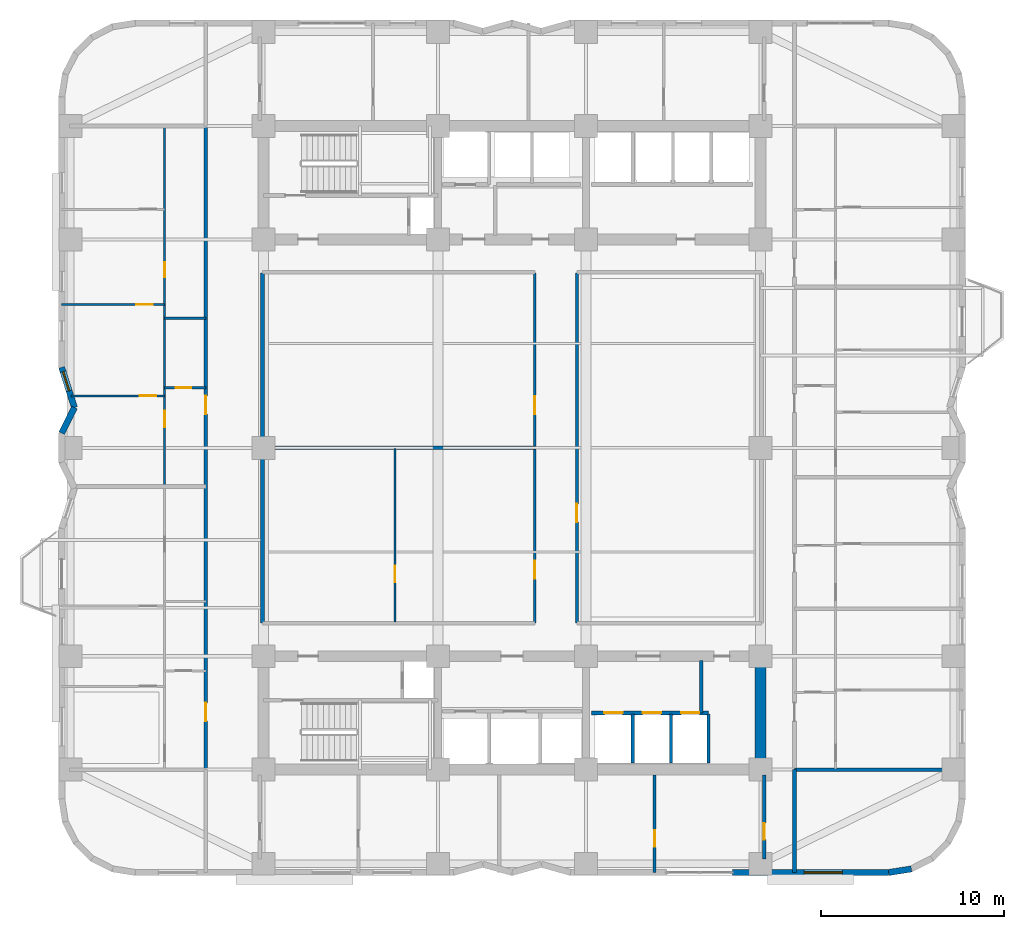
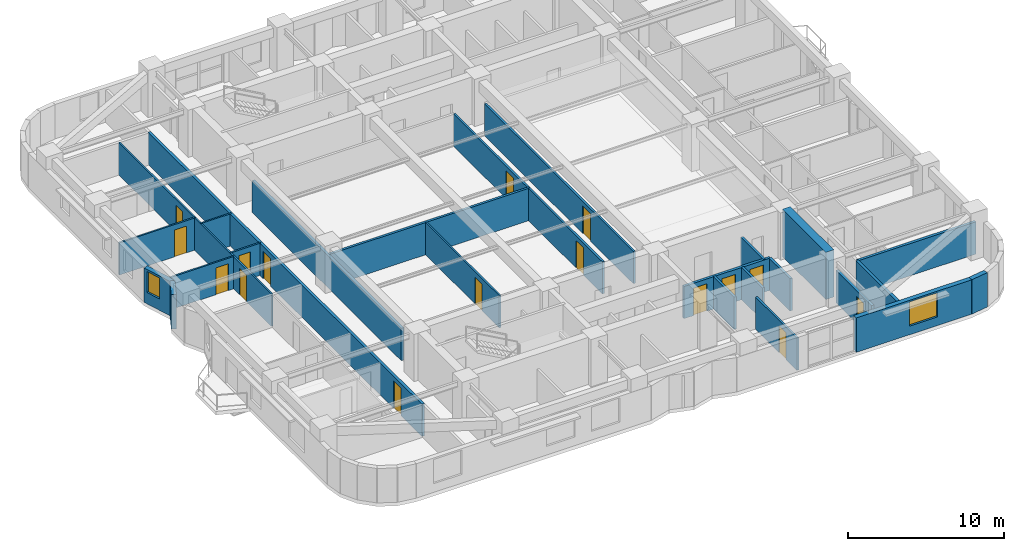
# One storey, part 7 of 13: 25 walls, 16 doors, 2 windows, 18 openings.
"""IFC4 building model written with IfcOpenShell, lengths in metres."""

from ifc_helpers import new_model, si_unit, direction, frame, frame_2d, origin, place, context, subcontext, project, spatial, rectangle, extrude, material, layer, layer_set, type_object, element, fill, save


model = new_model("IFC4")

# Units and contexts
model_context = context("Model", 3, precision=1e-05, world=origin(), true_north=direction((0.0, 1.0)))
body_context = subcontext(model_context, "Body", "Model", "MODEL_VIEW")
ifc_project = project(units=[si_unit("LENGTHUNIT", "METRE"), si_unit("AREAUNIT", "SQUARE_METRE"), si_unit("VOLUMEUNIT", "CUBIC_METRE"), si_unit("PLANEANGLEUNIT", "RADIAN"), si_unit("MASSUNIT", "GRAM", prefix="KILO")], contexts=[model_context])

# Site, building, storey
site_placement = place(None, origin())
site = spatial("IfcSite", under=ifc_project, at=site_placement, CompositionType="ELEMENT")
building_placement = place(site_placement, origin())
building = spatial("IfcBuilding", under=site, at=building_placement, Name="Svetorya Sky Lyceum", CompositionType="ELEMENT")
storey_placement = place(building_placement, frame((0.0, 0.0, 58.39990234375)))
storey = spatial("IfcBuildingStorey", under=building, at=storey_placement, Name="L14", CompositionType="ELEMENT", Elevation=58.39990234375)

# Wall
ifc_material_1 = material(Name="Concrete C60/75", Category="concrete")
ifc_layer_1 = layer(ifc_material_1, 0.60009765625)
ifc_layer_set_1 = layer_set([ifc_layer_1], Name="Concrete C60/75")
wall_type_1 = type_object("IfcWallType", Name="WL-CORE-600", PredefinedType="SHEAR", material=ifc_layer_set_1)
wall_1_placement = place(storey_placement, frame((52.800048828125, 10.89990234375, 0.0), z_axis=(0.0, 0.0, 1.0), x_axis=(0.0, 1.0, 0.0)))
element("IfcWall", 1, at=wall_1_placement, inside=storey, type_object=wall_type_1, Name="L14 SC East Core Shear Wall", PredefinedType="SHEAR", context=body_context, shape_type="SweptSolid", body=[
    extrude(rectangle(XDim=5.60009765625, YDim=0.60009765625, at=frame_2d((2.800048828125, 0.0))), origin(), (0.0, 0.0, 1.0), 3.7001953125),
])

# Wall, opening, window
ifc_material_2 = material(Name="Putilovo limestone rainscreen on autoclaved cellular masonry", Category="masonry")
ifc_layer_2 = layer(ifc_material_2, 0.340087890625)
ifc_layer_set_2 = layer_set([ifc_layer_2], Name="Putilovo limestone rainscreen on autoclaved cellular masonry")
wall_type_2 = type_object("IfcWallType", Name="WL-EXT-340", PredefinedType="SOLIDWALL", material=ifc_layer_set_2)
wall_2_placement = place(storey_placement, frame((51.25, 4.969970703125, 0.0), z_axis=(0.0, 0.0, 1.0), x_axis=(1.0, 0.0, 0.0)))
wall_2 = element("IfcWall", 2, at=wall_2_placement, inside=storey, type_object=wall_type_2, Name="L14 Limestone Exterior Wall 11B", PredefinedType="SOLIDWALL", context=body_context, shape_type="SweptSolid", body=[
    extrude(rectangle(XDim=8.550048828125, YDim=0.340087890625, at=frame_2d((4.27490234375, 0.0))), origin(), (0.0, 0.0, 1.0), 2.7001953125),
])
opening_1_placement = place(wall_2_placement, frame((3.925048828125, 0.0, 0.679931640625)))
opening_1 = element("IfcOpeningElement", 3, at=opening_1_placement, cuts=wall_2, Name="Opening W-R0", PredefinedType="OPENING", context=body_context, shape_type="SweptSolid", body=[
    extrude(rectangle(XDim=2.10009765625, YDim=1.89990234375, at=frame_2d((1.050048828125, 0.949951171875))), frame((0.0, 0.179931640625, 0.0), z_axis=(0.0, -1.0, 0.0), x_axis=(1.0, 0.0, 0.0)), (0.0, 0.0, 1.0), 0.360107421875),
])
ifc_material_3 = material(Name="Thermally broken aluminium frame with triple low-E glazing", Category="aluminium")
window_type_1 = type_object("IfcWindowType", Name="WN-RES-210", PartitioningType="TRIPLE_PANEL_VERTICAL", PredefinedType="WINDOW", material=ifc_material_3)
window_1_placement = place(opening_1_placement, origin())
window_1 = element("IfcWindow", 4, at=window_1_placement, inside=storey, type_object=window_type_1, Name="L14 Facade Window W-R0.11B.1", OverallHeight=1.89990234375, OverallWidth=2.10009765625, PartitioningType="SINGLE_PANEL", PredefinedType="WINDOW", context=body_context, shape_type="SweptSolid", body=[
    extrude(rectangle(XDim=2.10009765625, YDim=1.89990234375, at=frame_2d((1.050048828125, 0.949951171875))), frame((0.0, 0.030029296875, 0.0), z_axis=(0.0, -1.0, 0.0), x_axis=(1.0, 0.0, 0.0)), (0.0, 0.0, 1.0), 0.06005859375),
])
fill(opening_1, window_1)

# Wall
wall_3_placement = place(storey_placement, frame((59.800048828125, 4.969970703125, 0.0), z_axis=(0.0, 0.0, 1.0), x_axis=(0.987685918112, 0.15644975923, 0.0)))
element("IfcWall", 5, at=wall_3_placement, inside=storey, type_object=wall_type_2, Name="L14 Limestone Exterior Wall 12M", PredefinedType="SOLIDWALL", context=body_context, shape_type="SweptSolid", body=[
    extrude(rectangle(XDim=1.260986328125, YDim=0.340087890625, at=frame_2d((0.63037109375, 0.0))), origin(), (0.0, 0.0, 1.0), 2.7001953125),
])

# Wall, opening, window
wall_4_placement = place(storey_placement, frame((14.570068359375, 32.60009765625, 0.0), z_axis=(0.0, 0.0, 1.0), x_axis=(0.303160011437, -0.952939666225, 0.0)))
wall_4 = element("IfcWall", 6, at=wall_4_placement, inside=storey, type_object=wall_type_2, Name="L14 Limestone Exterior Wall 41M", PredefinedType="SOLIDWALL", context=body_context, shape_type="SweptSolid", body=[
    extrude(rectangle(XDim=2.308837890625, YDim=0.340087890625, at=frame_2d((1.154296875, 0.0))), origin(), (0.0, 0.0, 1.0), 2.7001953125),
])
opening_2_placement = place(wall_4_placement, frame((0.244384765625, 0.0, 0.889892578125)))
opening_2 = element("IfcOpeningElement", 7, at=opening_2_placement, cuts=wall_4, Name="Opening W-R3", PredefinedType="OPENING", context=body_context, shape_type="SweptSolid", body=[
    extrude(rectangle(XDim=1.10009765625, YDim=1.64990234375, at=frame_2d((0.550048828125, 0.824951171875))), frame((0.0, 0.179931640625, 0.0), z_axis=(0.0, -1.0, 0.0), x_axis=(1.0, 0.0, 0.0)), (0.0, 0.0, 1.0), 0.360107421875),
])
window_type_2 = type_object("IfcWindowType", Name="WN-RES-110", PartitioningType="SINGLE_PANEL", PredefinedType="WINDOW", material=ifc_material_3)
window_2_placement = place(opening_2_placement, origin())
window_2 = element("IfcWindow", 8, at=window_2_placement, inside=storey, type_object=window_type_2, Name="L14 Facade Window W-R3.41M.1", OverallHeight=1.64990234375, OverallWidth=1.10009765625, PartitioningType="SINGLE_PANEL", PredefinedType="WINDOW", context=body_context, shape_type="SweptSolid", body=[
    extrude(rectangle(XDim=1.10009765625, YDim=1.64990234375, at=frame_2d((0.550048828125, 0.824951171875))), frame((0.0, 0.030029296875, 0.0), z_axis=(0.0, -1.0, 0.0), x_axis=(1.0, 0.0, 0.0)), (0.0, 0.0, 1.0), 0.06005859375),
])
fill(opening_2, window_2)

# Wall
wall_5_placement = place(storey_placement, frame((15.27001953125, 30.39990234375, 0.0), z_axis=(0.0, 0.0, 1.0), x_axis=(-0.4472135955, -0.894427191, 0.0)))
element("IfcWall", 9, at=wall_5_placement, inside=storey, type_object=wall_type_2, Name="L14 Limestone Exterior Wall 42M", PredefinedType="SOLIDWALL", context=body_context, shape_type="SweptSolid", body=[
    extrude(rectangle(XDim=1.565185546875, YDim=0.340087890625, at=frame_2d((0.78271484375, 0.0))), origin(), (0.0, 0.0, 1.0), 2.7001953125),
])

# Wall, opening, door
ifc_material_4 = material(Name="Twin-stud galvanized framing with double fireboard", Category="gypsum")
ifc_layer_3 = layer(ifc_material_4, 0.1201171875)
ifc_layer_set_3 = layer_set([ifc_layer_3], Name="Twin-stud galvanized framing with double fireboard")
wall_type_3 = type_object("IfcWallType", Name="WL-PART-120", PredefinedType="PARTITIONING", material=ifc_layer_set_3)
wall_6_placement = place(storey_placement, frame((32.800048828125, 18.659912109375, 0.0), z_axis=(0.0, 0.0, 1.0), x_axis=(0.0, 1.0, 0.0)))
wall_6 = element("IfcWall", 10, at=wall_6_placement, inside=storey, type_object=wall_type_3, Name="L14 Interior Partition CEN-WV1", PredefinedType="PARTITIONING", context=body_context, shape_type="SweptSolid", body=[
    extrude(rectangle(XDim=9.489990234375, YDim=0.1201171875, at=frame_2d((4.7451171875, 0.0))), origin(), (0.0, 0.0, 1.0), 2.530029296875),
])
opening_3_placement = place(wall_6_placement, frame((2.199951171875, 0.0, 0.0)))
opening_3 = element("IfcOpeningElement", 11, at=opening_3_placement, cuts=wall_6, Name="Opening D-RM1", PredefinedType="OPENING", context=body_context, shape_type="SweptSolid", body=[
    extrude(rectangle(XDim=0.89990234375, YDim=2.10009765625, at=frame_2d((0.449951171875, 1.050048828125))), frame((0.0, 0.070068359375, 0.0), z_axis=(0.0, -1.0, 0.0), x_axis=(1.0, 0.0, 0.0)), (0.0, 0.0, 1.0), 0.14013671875),
])
ifc_material_5 = material(Name="Lacquered birch veneer internal door")
door_type_1 = type_object("IfcDoorType", Name="DR-INT-900", OperationType="SINGLE_SWING_LEFT", PredefinedType="DOOR", material=ifc_material_5)
door_1_placement = place(opening_3_placement, origin())
door_1 = element("IfcDoor", 12, at=door_1_placement, inside=storey, type_object=door_type_1, Name="L14 Quiet Study Door", OperationType="SINGLE_SWING_LEFT", OverallHeight=2.10009765625, OverallWidth=0.89990234375, PredefinedType="DOOR", context=body_context, shape_type="SweptSolid", body=[
    extrude(rectangle(XDim=0.89990234375, YDim=2.10009765625, at=frame_2d((0.449951171875, 1.050048828125))), frame((0.0, 0.02490234375, 0.0), z_axis=(0.0, -1.0, 0.0), x_axis=(1.0, 0.0, 0.0)), (0.0, 0.0, 1.0), 0.050048828125),
])
fill(opening_3, door_1)

wall_7_placement = place(storey_placement, frame((20.199951171875, 31.488037109375, 0.0), z_axis=(0.0, 0.0, 1.0), x_axis=(1.0, 0.0, 0.0)))
wall_7 = element("IfcWall", 13, at=wall_7_placement, inside=storey, type_object=wall_type_3, Name="L14 Interior Partition W2-WH1", PredefinedType="PARTITIONING", context=body_context, shape_type="SweptSolid", body=[
    extrude(rectangle(XDim=2.25, YDim=0.1201171875, at=frame_2d((1.125, 0.0))), origin(), (0.0, 0.0, 1.0), 2.530029296875),
])
opening_4_placement = place(wall_7_placement, frame((0.60009765625, 0.0, 0.0)))
opening_4 = element("IfcOpeningElement", 14, at=opening_4_placement, cuts=wall_7, Name="Opening D-BT1", PredefinedType="OPENING", context=body_context, shape_type="SweptSolid", body=[
    extrude(rectangle(XDim=0.85009765625, YDim=2.10009765625, at=frame_2d((0.425048828125, 1.050048828125))), frame((0.0, 0.070068359375, 0.0), z_axis=(0.0, -1.0, 0.0), x_axis=(1.0, 0.0, 0.0)), (0.0, 0.0, 1.0), 0.14013671875),
])
ifc_material_6 = material(Name="Moisture-resistant laminate bathroom door")
door_type_2 = type_object("IfcDoorType", Name="DR-WET-850", OperationType="SINGLE_SWING_LEFT", PredefinedType="DOOR", material=ifc_material_6)
door_2_placement = place(opening_4_placement, origin())
door_2 = element("IfcDoor", 15, at=door_2_placement, inside=storey, type_object=door_type_2, Name="Apartment W2 Bathroom Door", OperationType="SINGLE_SWING_RIGHT", OverallHeight=2.10009765625, OverallWidth=0.85009765625, PredefinedType="DOOR", context=body_context, shape_type="SweptSolid", body=[
    extrude(rectangle(XDim=0.85009765625, YDim=2.10009765625, at=frame_2d((0.425048828125, 1.050048828125))), frame((0.0, 0.02490234375, 0.0), z_axis=(0.0, -1.0, 0.0), x_axis=(1.0, 0.0, 0.0)), (0.0, 0.0, 1.0), 0.050048828125),
])
fill(opening_4, door_2)

# Wall
wall_8_placement = place(storey_placement, frame((20.199951171875, 35.2880859375, 0.0), z_axis=(0.0, 0.0, 1.0), x_axis=(1.0, 0.0, 0.0)))
element("IfcWall", 16, at=wall_8_placement, inside=storey, type_object=wall_type_3, Name="L14 Interior Partition W2-WH2", PredefinedType="PARTITIONING", context=body_context, shape_type="SweptSolid", body=[
    extrude(rectangle(XDim=2.25, YDim=0.1201171875, at=frame_2d((1.125, 0.0))), origin(), (0.0, 0.0, 1.0), 2.530029296875),
])

# Wall, opening, door
wall_9_placement = place(storey_placement, frame((15.06689453125, 31.0380859375, 0.0), z_axis=(0.0, 0.0, 1.0), x_axis=(1.0, 0.0, 0.0)))
wall_9 = element("IfcWall", 17, at=wall_9_placement, inside=storey, type_object=wall_type_3, Name="L14 Interior Partition W2-WL1", PredefinedType="PARTITIONING", context=body_context, shape_type="SweptSolid", body=[
    extrude(rectangle(XDim=5.133056640625, YDim=0.1201171875, at=frame_2d((2.56640625, 0.0))), origin(), (0.0, 0.0, 1.0), 2.530029296875),
])
opening_5_placement = place(wall_9_placement, frame((3.782958984375, 0.0, 0.0)))
opening_5 = element("IfcOpeningElement", 18, at=opening_5_placement, cuts=wall_9, Name="Opening D-RM1", PredefinedType="OPENING", context=body_context, shape_type="SweptSolid", body=[
    extrude(rectangle(XDim=0.89990234375, YDim=2.10009765625, at=frame_2d((0.449951171875, 1.050048828125))), frame((0.0, 0.070068359375, 0.0), z_axis=(0.0, -1.0, 0.0), x_axis=(1.0, 0.0, 0.0)), (0.0, 0.0, 1.0), 0.14013671875),
])
door_3_placement = place(opening_5_placement, origin())
door_3 = element("IfcDoor", 19, at=door_3_placement, inside=storey, type_object=door_type_1, Name="Apartment W2 Master Bedroom Door", OperationType="SINGLE_SWING_RIGHT", OverallHeight=2.10009765625, OverallWidth=0.89990234375, PredefinedType="DOOR", context=body_context, shape_type="SweptSolid", body=[
    extrude(rectangle(XDim=0.89990234375, YDim=2.10009765625, at=frame_2d((0.449951171875, 1.050048828125))), frame((0.0, 0.02490234375, 0.0), z_axis=(0.0, -1.0, 0.0), x_axis=(1.0, 0.0, 0.0)), (0.0, 0.0, 1.0), 0.050048828125),
])
fill(opening_5, door_3)

wall_10_placement = place(storey_placement, frame((14.570068359375, 36.0380859375, 0.0), z_axis=(0.0, 0.0, 1.0), x_axis=(1.0, 0.0, 0.0)))
wall_10 = element("IfcWall", 20, at=wall_10_placement, inside=storey, type_object=wall_type_3, Name="L14 Interior Partition W2-WL2", PredefinedType="PARTITIONING", context=body_context, shape_type="SweptSolid", body=[
    extrude(rectangle(XDim=5.6298828125, YDim=0.1201171875, at=frame_2d((2.81494140625, 0.0))), origin(), (0.0, 0.0, 1.0), 2.530029296875),
])
opening_6_placement = place(wall_10_placement, frame((4.080078125, 0.0, 0.0)))
opening_6 = element("IfcOpeningElement", 21, at=opening_6_placement, cuts=wall_10, Name="Opening D-RM1", PredefinedType="OPENING", context=body_context, shape_type="SweptSolid", body=[
    extrude(rectangle(XDim=0.89990234375, YDim=2.10009765625, at=frame_2d((0.449951171875, 1.050048828125))), frame((0.0, 0.070068359375, 0.0), z_axis=(0.0, -1.0, 0.0), x_axis=(1.0, 0.0, 0.0)), (0.0, 0.0, 1.0), 0.14013671875),
])
door_4_placement = place(opening_6_placement, origin())
door_4 = element("IfcDoor", 22, at=door_4_placement, inside=storey, type_object=door_type_1, Name="Apartment W2 Bedroom 2 Door", OperationType="SINGLE_SWING_LEFT", OverallHeight=2.10009765625, OverallWidth=0.89990234375, PredefinedType="DOOR", context=body_context, shape_type="SweptSolid", body=[
    extrude(rectangle(XDim=0.89990234375, YDim=2.10009765625, at=frame_2d((0.449951171875, 1.050048828125))), frame((0.0, 0.02490234375, 0.0), z_axis=(0.0, -1.0, 0.0), x_axis=(1.0, 0.0, 0.0)), (0.0, 0.0, 1.0), 0.050048828125),
])
fill(opening_6, door_4)

# Wall, openings, doors
wall_11_placement = place(storey_placement, frame((20.199951171875, 26.1279296875, 0.0), z_axis=(0.0, 0.0, 1.0), x_axis=(0.0, 1.0, 0.0)))
wall_11 = element("IfcWall", 23, at=wall_11_placement, inside=storey, type_object=wall_type_3, Name="L14 Interior Partition W2-WV", PredefinedType="PARTITIONING", context=body_context, shape_type="SweptSolid", body=[
    extrude(rectangle(XDim=19.632080078125, YDim=0.1201171875, at=frame_2d((9.81591796875, 0.0))), origin(), (0.0, 0.0, 1.0), 2.530029296875),
])
opening_7_placement = place(wall_11_placement, frame((3.2099609375, 0.0, 0.0)))
opening_7 = element("IfcOpeningElement", 24, at=opening_7_placement, cuts=wall_11, Name="Opening D-RM1", PredefinedType="OPENING", context=body_context, shape_type="SweptSolid", body=[
    extrude(rectangle(XDim=0.89990234375, YDim=2.10009765625, at=frame_2d((0.449951171875, 1.050048828125))), frame((0.0, 0.070068359375, 0.0), z_axis=(0.0, -1.0, 0.0), x_axis=(1.0, 0.0, 0.0)), (0.0, 0.0, 1.0), 0.14013671875),
])
opening_8_placement = place(wall_11_placement, frame((11.392333984375, 0.0, 0.0)))
opening_8 = element("IfcOpeningElement", 25, at=opening_8_placement, cuts=wall_11, Name="Opening D-BT2", PredefinedType="OPENING", context=body_context, shape_type="SweptSolid", body=[
    extrude(rectangle(XDim=0.820068359375, YDim=2.080078125, at=frame_2d((0.41015625, 1.0400390625))), frame((0.0, 0.070068359375, 0.0), z_axis=(0.0, -1.0, 0.0), x_axis=(1.0, 0.0, 0.0)), (0.0, 0.0, 1.0), 0.14013671875),
])
door_5_placement = place(opening_7_placement, origin())
door_5 = element("IfcDoor", 26, at=door_5_placement, inside=storey, type_object=door_type_1, Name="Apartment W2 Living Door", OperationType="SINGLE_SWING_LEFT", OverallHeight=2.10009765625, OverallWidth=0.89990234375, PredefinedType="DOOR", context=body_context, shape_type="SweptSolid", body=[
    extrude(rectangle(XDim=0.89990234375, YDim=2.10009765625, at=frame_2d((0.449951171875, 1.050048828125))), frame((0.0, 0.02490234375, 0.0), z_axis=(0.0, -1.0, 0.0), x_axis=(1.0, 0.0, 0.0)), (0.0, 0.0, 1.0), 0.050048828125),
])
fill(opening_7, door_5)
ifc_material_7 = material(Name="Compact moisture-resistant laminate closet door")
door_type_3 = type_object("IfcDoorType", Name="DR-WET-820", OperationType="SINGLE_SWING_LEFT", PredefinedType="DOOR", material=ifc_material_7)
door_6_placement = place(opening_8_placement, origin())
door_6 = element("IfcDoor", 27, at=door_6_placement, inside=storey, type_object=door_type_3, Name="Apartment W2 Study Door", OperationType="SINGLE_SWING_RIGHT", OverallHeight=2.080078125, OverallWidth=0.820068359375, PredefinedType="DOOR", context=body_context, shape_type="SweptSolid", body=[
    extrude(rectangle(XDim=0.820068359375, YDim=2.080078125, at=frame_2d((0.41015625, 1.0400390625))), frame((0.0, 0.02490234375, 0.0), z_axis=(0.0, -1.0, 0.0), x_axis=(1.0, 0.0, 0.0)), (0.0, 0.0, 1.0), 0.050048828125),
])
fill(opening_8, door_6)

ifc_material_8 = material(Name="Autoclaved cellular masonry blockwork with acoustic render", Category="masonry")
ifc_layer_4 = layer(ifc_material_8, 0.14990234375)
ifc_layer_set_4 = layer_set([ifc_layer_4], Name="Autoclaved cellular masonry blockwork with acoustic render")
wall_type_4 = type_object("IfcWallType", Name="WL-PART-150", PredefinedType="PARTITIONING", material=ifc_layer_set_4)
wall_12_placement = place(storey_placement, frame((40.449951171875, 18.6298828125, 0.0), z_axis=(0.0, 0.0, 1.0), x_axis=(0.0, 1.0, 0.0)))
wall_12 = element("IfcWall", 28, at=wall_12_placement, inside=storey, type_object=wall_type_4, Name="L14 Interior Partition CEN-VW", PredefinedType="PARTITIONING", context=body_context, shape_type="SweptSolid", body=[
    extrude(rectangle(XDim=19.14013671875, YDim=0.14990234375, at=frame_2d((9.570068359375, 0.0))), origin(), (0.0, 0.0, 1.0), 2.530029296875),
])
opening_9_placement = place(wall_12_placement, frame((2.39990234375, 0.0, 0.0)))
opening_9 = element("IfcOpeningElement", 29, at=opening_9_placement, cuts=wall_12, Name="Opening D-RM2", PredefinedType="OPENING", context=body_context, shape_type="SweptSolid", body=[
    extrude(rectangle(XDim=1.0, YDim=2.14990234375, at=frame_2d((0.5, 1.074951171875))), frame((0.0, 0.0849609375, 0.0), z_axis=(0.0, -1.0, 0.0), x_axis=(1.0, 0.0, 0.0)), (0.0, 0.0, 1.0), 0.169921875),
])
opening_10_placement = place(wall_12_placement, frame((11.39990234375, 0.0, 0.0)))
opening_10 = element("IfcOpeningElement", 30, at=opening_10_placement, cuts=wall_12, Name="Opening D-RM2", PredefinedType="OPENING", context=body_context, shape_type="SweptSolid", body=[
    extrude(rectangle(XDim=1.0, YDim=2.14990234375, at=frame_2d((0.5, 1.074951171875))), frame((0.0, 0.0849609375, 0.0), z_axis=(0.0, -1.0, 0.0), x_axis=(1.0, 0.0, 0.0)), (0.0, 0.0, 1.0), 0.169921875),
])
ifc_material_9 = material(Name="Solid-core oak acoustic room door")
door_type_4 = type_object("IfcDoorType", Name="DR-INT-1000", OperationType="SINGLE_SWING_LEFT", PredefinedType="DOOR", material=ifc_material_9)
door_7_placement = place(opening_9_placement, origin())
door_7 = element("IfcDoor", 31, at=door_7_placement, inside=storey, type_object=door_type_4, Name="L14 Study Door", OperationType="SINGLE_SWING_LEFT", OverallHeight=2.14990234375, OverallWidth=1.0, PredefinedType="DOOR", context=body_context, shape_type="SweptSolid", body=[
    extrude(rectangle(XDim=1.0, YDim=2.14990234375, at=frame_2d((0.5, 1.074951171875))), frame((0.0, 0.02490234375, 0.0), z_axis=(0.0, -1.0, 0.0), x_axis=(1.0, 0.0, 0.0)), (0.0, 0.0, 1.0), 0.050048828125),
])
fill(opening_9, door_7)
door_8_placement = place(opening_10_placement, origin())
door_8 = element("IfcDoor", 32, at=door_8_placement, inside=storey, type_object=door_type_4, Name="L14 Focus Door", OperationType="SINGLE_SWING_RIGHT", OverallHeight=2.14990234375, OverallWidth=1.0, PredefinedType="DOOR", context=body_context, shape_type="SweptSolid", body=[
    extrude(rectangle(XDim=1.0, YDim=2.14990234375, at=frame_2d((0.5, 1.074951171875))), frame((0.0, 0.02490234375, 0.0), z_axis=(0.0, -1.0, 0.0), x_axis=(1.0, 0.0, 0.0)), (0.0, 0.0, 1.0), 0.050048828125),
])
fill(opening_10, door_8)

# Wall, opening, door
wall_13_placement = place(storey_placement, frame((42.75, 18.6298828125, 0.0), z_axis=(0.0, 0.0, 1.0), x_axis=(0.0, 1.0, 0.0)))
wall_13 = element("IfcWall", 33, at=wall_13_placement, inside=storey, type_object=wall_type_4, Name="L14 Interior Partition CEN-VE", PredefinedType="PARTITIONING", context=body_context, shape_type="SweptSolid", body=[
    extrude(rectangle(XDim=19.14013671875, YDim=0.14990234375, at=frame_2d((9.570068359375, 0.0))), origin(), (0.0, 0.0, 1.0), 2.530029296875),
])
opening_11_placement = place(wall_13_placement, frame((5.5, 0.0, 0.0)))
opening_11 = element("IfcOpeningElement", 34, at=opening_11_placement, cuts=wall_13, Name="Opening D-RM2", PredefinedType="OPENING", context=body_context, shape_type="SweptSolid", body=[
    extrude(rectangle(XDim=1.0, YDim=2.14990234375, at=frame_2d((0.5, 1.074951171875))), frame((0.0, 0.0849609375, 0.0), z_axis=(0.0, -1.0, 0.0), x_axis=(1.0, 0.0, 0.0)), (0.0, 0.0, 1.0), 0.169921875),
])
door_9_placement = place(opening_11_placement, origin())
door_9 = element("IfcDoor", 35, at=door_9_placement, inside=storey, type_object=door_type_4, Name="L14 East Hall Door", OperationType="SINGLE_SWING_RIGHT", OverallHeight=2.14990234375, OverallWidth=1.0, PredefinedType="DOOR", context=body_context, shape_type="SweptSolid", body=[
    extrude(rectangle(XDim=1.0, YDim=2.14990234375, at=frame_2d((0.5, 1.074951171875))), frame((0.0, 0.02490234375, 0.0), z_axis=(0.0, -1.0, 0.0), x_axis=(1.0, 0.0, 0.0)), (0.0, 0.0, 1.0), 0.050048828125),
])
fill(opening_11, door_9)

wall_14_placement = place(storey_placement, frame((47.0, 4.969970703125, 0.0), z_axis=(0.0, 0.0, 1.0), x_axis=(0.0, 1.0, 0.0)))
wall_14 = element("IfcWall", 36, at=wall_14_placement, inside=storey, type_object=wall_type_4, Name="L14 Interior Partition S4-D3", PredefinedType="PARTITIONING", context=body_context, shape_type="SweptSolid", body=[
    extrude(rectangle(XDim=5.330078125, YDim=0.14990234375, at=frame_2d((2.6650390625, 0.0))), origin(), (0.0, 0.0, 1.0), 2.530029296875),
])
opening_12_placement = place(wall_14_placement, frame((1.39990234375, 0.0, 0.0)))
opening_12 = element("IfcOpeningElement", 37, at=opening_12_placement, cuts=wall_14, Name="Opening D-RM1", PredefinedType="OPENING", context=body_context, shape_type="SweptSolid", body=[
    extrude(rectangle(XDim=0.89990234375, YDim=2.10009765625, at=frame_2d((0.449951171875, 1.050048828125))), frame((0.0, 0.0849609375, 0.0), z_axis=(0.0, -1.0, 0.0), x_axis=(1.0, 0.0, 0.0)), (0.0, 0.0, 1.0), 0.169921875),
])
door_10_placement = place(opening_12_placement, origin())
door_10 = element("IfcDoor", 38, at=door_10_placement, inside=storey, type_object=door_type_1, Name="L14 South Suite Door 3", OperationType="SINGLE_SWING_LEFT", OverallHeight=2.10009765625, OverallWidth=0.89990234375, PredefinedType="DOOR", context=body_context, shape_type="SweptSolid", body=[
    extrude(rectangle(XDim=0.89990234375, YDim=2.10009765625, at=frame_2d((0.449951171875, 1.050048828125))), frame((0.0, 0.02490234375, 0.0), z_axis=(0.0, -1.0, 0.0), x_axis=(1.0, 0.0, 0.0)), (0.0, 0.0, 1.0), 0.050048828125),
])
fill(opening_12, door_10)

# Walls
ifc_material_10 = material(Name="Autoclaved cellular masonry blockwork with fire render", Category="masonry")
ifc_layer_5 = layer(ifc_material_10, 0.175048828125)
ifc_layer_set_5 = layer_set([ifc_layer_5], Name="Autoclaved cellular masonry blockwork with fire render")
wall_type_5 = type_object("IfcWallType", Name="WL-PART-175", PredefinedType="PARTITIONING", material=ifc_layer_set_5)
for number, where, z_axis, x_axis, name in (
    (39, (45.800048828125, 10.949951171875, 0.0), (0.0, 0.0, 1.0), (0.0, 1.0, 0.0), "L14 Interior Partition SC-PL-DIV1"),
    (40, (47.89990234375, 10.949951171875, 0.0), (0.0, 0.0, 1.0), (0.0, 1.0, 0.0), "L14 Interior Partition SC-PL-DIV2"),
    (41, (49.949951171875, 10.949951171875, 0.0), (0.0, 0.0, 1.0), (0.0, 1.0, 0.0), "L14 Interior Partition SC-PL-END"),
):
    element("IfcWall", number, at=place(storey_placement, frame(where, z_axis=z_axis, x_axis=x_axis)), inside=storey, type_object=wall_type_5, Name=name, PredefinedType="PARTITIONING", context=body_context, shape_type="SweptSolid", body=[
        extrude(rectangle(XDim=2.699951171875, YDim=0.175048828125, at=frame_2d((1.35009765625, 0.0))), origin(), (0.0, 0.0, 1.0), 2.530029296875),
    ])
wall_15_placement = place(storey_placement, frame((49.550048828125, 13.699951171875, 0.0), z_axis=(0.0, 0.0, 1.0), x_axis=(0.0, 1.0, 0.0)))
element("IfcWall", 42, at=wall_15_placement, inside=storey, type_object=wall_type_5, Name="L14 Interior Partition SC-AUX-V", PredefinedType="PARTITIONING", context=body_context, shape_type="SweptSolid", body=[
    extrude(rectangle(XDim=2.880126953125, YDim=0.175048828125, at=frame_2d((1.43994140625, 0.0))), origin(), (0.0, 0.0, 1.0), 2.530029296875),
])
wall_16_placement = place(storey_placement, frame((25.60009765625, 28.199951171875, 0.0), z_axis=(0.0, 0.0, 1.0), x_axis=(1.0, 0.0, 0.0)))
element("IfcWall", 43, at=wall_16_placement, inside=storey, type_object=wall_type_5, Name="L14 Interior Partition CEN-HW", PredefinedType="PARTITIONING", context=body_context, shape_type="SweptSolid", body=[
    extrude(rectangle(XDim=14.869873046875, YDim=0.175048828125, at=frame_2d((7.43505859375, 0.0))), origin(), (0.0, 0.0, 1.0), 2.530029296875),
])

# Wall, openings, doors
ifc_material_11 = material(Name="Autoclaved cellular masonry blockwork with gypsum plaster", Category="masonry")
ifc_layer_6 = layer(ifc_material_11, 0.199951171875)
ifc_layer_set_6 = layer_set([ifc_layer_6], Name="Autoclaved cellular masonry blockwork with gypsum plaster")
wall_type_6 = type_object("IfcWallType", Name="WL-PART-200", PredefinedType="PARTITIONING", material=ifc_layer_set_6)
wall_17_placement = place(storey_placement, frame((43.550048828125, 13.699951171875, 0.0), z_axis=(0.0, 0.0, 1.0), x_axis=(1.0, 0.0, 0.0)))
wall_17 = element("IfcWall", 44, at=wall_17_placement, inside=storey, type_object=wall_type_6, Name="L14 Interior Partition SC-PLW", PredefinedType="PARTITIONING", context=body_context, shape_type="SweptSolid", body=[
    extrude(rectangle(XDim=6.39990234375, YDim=0.199951171875, at=frame_2d((3.199951171875, 0.0))), origin(), (0.0, 0.0, 1.0), 2.530029296875),
])
opening_13_placement = place(wall_17_placement, frame((0.699951171875, 0.0, 0.0)))
opening_13 = element("IfcOpeningElement", 45, at=opening_13_placement, cuts=wall_17, Name="Opening LD-P1", PredefinedType="OPENING", context=body_context, shape_type="SweptSolid", body=[
    extrude(rectangle(XDim=1.0, YDim=2.14990234375, at=frame_2d((0.5, 1.074951171875))), frame((0.0, 0.10986328125, 0.0), z_axis=(0.0, -1.0, 0.0), x_axis=(1.0, 0.0, 0.0)), (0.0, 0.0, 1.0), 0.219970703125),
])
opening_14_placement = place(wall_17_placement, frame((2.800048828125, 0.0, 0.0)))
opening_14 = element("IfcOpeningElement", 46, at=opening_14_placement, cuts=wall_17, Name="Opening LD-P1", PredefinedType="OPENING", context=body_context, shape_type="SweptSolid", body=[
    extrude(rectangle(XDim=1.0, YDim=2.14990234375, at=frame_2d((0.5, 1.074951171875))), frame((0.0, 0.10986328125, 0.0), z_axis=(0.0, -1.0, 0.0), x_axis=(1.0, 0.0, 0.0)), (0.0, 0.0, 1.0), 0.219970703125),
])
opening_15_placement = place(wall_17_placement, frame((4.89990234375, 0.0, 0.0)))
opening_15 = element("IfcOpeningElement", 47, at=opening_15_placement, cuts=wall_17, Name="Opening LD-P1", PredefinedType="OPENING", context=body_context, shape_type="SweptSolid", body=[
    extrude(rectangle(XDim=1.0, YDim=2.14990234375, at=frame_2d((0.5, 1.074951171875))), frame((0.0, 0.10986328125, 0.0), z_axis=(0.0, -1.0, 0.0), x_axis=(1.0, 0.0, 0.0)), (0.0, 0.0, 1.0), 0.219970703125),
])
ifc_material_12 = material(Name="Champagne-anodized stainless passenger lift landing door")
door_type_5 = type_object("IfcDoorType", Name="DR-LIFT-1000", OperationType="SLIDING_TO_LEFT", PredefinedType="DOOR", material=ifc_material_12)
door_11_placement = place(opening_13_placement, origin())
door_11 = element("IfcDoor", 48, at=door_11_placement, inside=storey, type_object=door_type_5, Name="L14 Passenger Lift PL1 Landing Door", OperationType="SLIDING_TO_LEFT", OverallHeight=2.14990234375, OverallWidth=1.0, PredefinedType="DOOR", context=body_context, shape_type="SweptSolid", body=[
    extrude(rectangle(XDim=1.0, YDim=2.14990234375, at=frame_2d((0.5, 1.074951171875))), frame((0.0, 0.02490234375, 0.0), z_axis=(0.0, -1.0, 0.0), x_axis=(1.0, 0.0, 0.0)), (0.0, 0.0, 1.0), 0.050048828125),
])
fill(opening_13, door_11)
door_12_placement = place(opening_14_placement, origin())
door_12 = element("IfcDoor", 49, at=door_12_placement, inside=storey, type_object=door_type_5, Name="L14 Passenger Lift PL2 Landing Door", OperationType="SLIDING_TO_LEFT", OverallHeight=2.14990234375, OverallWidth=1.0, PredefinedType="DOOR", context=body_context, shape_type="SweptSolid", body=[
    extrude(rectangle(XDim=1.0, YDim=2.14990234375, at=frame_2d((0.5, 1.074951171875))), frame((0.0, 0.02490234375, 0.0), z_axis=(0.0, -1.0, 0.0), x_axis=(1.0, 0.0, 0.0)), (0.0, 0.0, 1.0), 0.050048828125),
])
fill(opening_14, door_12)
door_13_placement = place(opening_15_placement, origin())
door_13 = element("IfcDoor", 50, at=door_13_placement, inside=storey, type_object=door_type_5, Name="L14 Passenger Lift PL3 Landing Door", OperationType="SLIDING_TO_LEFT", OverallHeight=2.14990234375, OverallWidth=1.0, PredefinedType="DOOR", context=body_context, shape_type="SweptSolid", body=[
    extrude(rectangle(XDim=1.0, YDim=2.14990234375, at=frame_2d((0.5, 1.074951171875))), frame((0.0, 0.02490234375, 0.0), z_axis=(0.0, -1.0, 0.0), x_axis=(1.0, 0.0, 0.0)), (0.0, 0.0, 1.0), 0.050048828125),
])
fill(opening_15, door_13)

# Wall
wall_18_placement = place(storey_placement, frame((25.550048828125, 18.6298828125, 0.0), z_axis=(0.0, 0.0, 1.0), x_axis=(0.0, 1.0, 0.0)))
element("IfcWall", 51, at=wall_18_placement, inside=storey, type_object=wall_type_6, Name="L14 Interior Partition W-CEN-SEP", PredefinedType="PARTITIONING", context=body_context, shape_type="SweptSolid", body=[
    extrude(rectangle(XDim=19.14013671875, YDim=0.199951171875, at=frame_2d((9.570068359375, 0.0))), origin(), (0.0, 0.0, 1.0), 2.530029296875),
])

# Wall, openings, doors
wall_19_placement = place(storey_placement, frame((22.449951171875, 10.60009765625, 0.0), z_axis=(0.0, 0.0, 1.0), x_axis=(0.0, 1.0, 0.0)))
wall_19 = element("IfcWall", 52, at=wall_19_placement, inside=storey, type_object=wall_type_6, Name="L14 Interior Partition W-CORRW", PredefinedType="PARTITIONING", context=body_context, shape_type="SweptSolid", body=[
    extrude(rectangle(XDim=35.199951171875, YDim=0.199951171875, at=frame_2d((17.60009765625, 0.0))), origin(), (0.0, 0.0, 1.0), 2.530029296875),
])
opening_16_placement = place(wall_19_placement, frame((2.64990234375, 0.0, 0.0)))
opening_16 = element("IfcOpeningElement", 53, at=opening_16_placement, cuts=wall_19, Name="Opening D-APT1", PredefinedType="OPENING", context=body_context, shape_type="SweptSolid", body=[
    extrude(rectangle(XDim=1.0, YDim=2.14990234375, at=frame_2d((0.5, 1.074951171875))), frame((0.0, 0.10986328125, 0.0), z_axis=(0.0, -1.0, 0.0), x_axis=(1.0, 0.0, 0.0)), (0.0, 0.0, 1.0), 0.219970703125),
])
opening_17_placement = place(wall_19_placement, frame((19.43798828125, 0.0, 0.0)))
opening_17 = element("IfcOpeningElement", 54, at=opening_17_placement, cuts=wall_19, Name="Opening D-APT1", PredefinedType="OPENING", context=body_context, shape_type="SweptSolid", body=[
    extrude(rectangle(XDim=1.0, YDim=2.14990234375, at=frame_2d((0.5, 1.074951171875))), frame((0.0, 0.10986328125, 0.0), z_axis=(0.0, -1.0, 0.0), x_axis=(1.0, 0.0, 0.0)), (0.0, 0.0, 1.0), 0.219970703125),
])
ifc_material_13 = material(Name="Insulated oak-veneered apartment entrance door")
door_type_6 = type_object("IfcDoorType", Name="DR-APT-1000", OperationType="SINGLE_SWING_LEFT", PredefinedType="DOOR", material=ifc_material_13)
door_14_placement = place(opening_16_placement, origin())
door_14 = element("IfcDoor", 55, at=door_14_placement, inside=storey, type_object=door_type_6, Name="L14 Apartment W1 Entrance Door", OperationType="SINGLE_SWING_LEFT", OverallHeight=2.14990234375, OverallWidth=1.0, PredefinedType="DOOR", context=body_context, shape_type="SweptSolid", body=[
    extrude(rectangle(XDim=1.0, YDim=2.14990234375, at=frame_2d((0.5, 1.074951171875))), frame((0.0, 0.02490234375, 0.0), z_axis=(0.0, -1.0, 0.0), x_axis=(1.0, 0.0, 0.0)), (0.0, 0.0, 1.0), 0.050048828125),
])
fill(opening_16, door_14)
door_15_placement = place(opening_17_placement, origin())
door_15 = element("IfcDoor", 56, at=door_15_placement, inside=storey, type_object=door_type_6, Name="L14 Apartment W2 Entrance Door", OperationType="SINGLE_SWING_RIGHT", OverallHeight=2.14990234375, OverallWidth=1.0, PredefinedType="DOOR", context=body_context, shape_type="SweptSolid", body=[
    extrude(rectangle(XDim=1.0, YDim=2.14990234375, at=frame_2d((0.5, 1.074951171875))), frame((0.0, 0.02490234375, 0.0), z_axis=(0.0, -1.0, 0.0), x_axis=(1.0, 0.0, 0.0)), (0.0, 0.0, 1.0), 0.050048828125),
])
fill(opening_17, door_15)

# Walls
wall_20_placement = place(storey_placement, frame((54.64990234375, 10.60009765625, 0.0), z_axis=(0.0, 0.0, 1.0), x_axis=(1.0, 0.0, 0.0)))
element("IfcWall", 57, at=wall_20_placement, inside=storey, type_object=wall_type_6, Name="L14 Interior Partition E-CAP-S", PredefinedType="PARTITIONING", context=body_context, shape_type="SweptSolid", body=[
    extrude(rectangle(XDim=8.760009765625, YDim=0.199951171875, at=frame_2d((4.3798828125, 0.0))), origin(), (0.0, 0.0, 1.0), 2.530029296875),
])
wall_21_placement = place(storey_placement, frame((54.64990234375, 4.969970703125, 0.0), z_axis=(0.0, 0.0, 1.0), x_axis=(0.0, 1.0, 0.0)))
element("IfcWall", 58, at=wall_21_placement, inside=storey, type_object=wall_type_6, Name="L14 Interior Partition EC-SE-END", PredefinedType="PARTITIONING", context=body_context, shape_type="SweptSolid", body=[
    extrude(rectangle(XDim=5.630126953125, YDim=0.199951171875, at=frame_2d((2.81494140625, 0.0))), origin(), (0.0, 0.0, 1.0), 2.530029296875),
])

# Wall, opening, door
wall_22_placement = place(storey_placement, frame((53.0, 5.719970703125, 0.0), z_axis=(0.0, 0.0, 1.0), x_axis=(0.0, 1.0, 0.0)))
wall_22 = element("IfcWall", 59, at=wall_22_placement, inside=storey, type_object=wall_type_6, Name="L14 Interior Partition S4-EE", PredefinedType="PARTITIONING", context=body_context, shape_type="SweptSolid", body=[
    extrude(rectangle(XDim=4.580078125, YDim=0.199951171875, at=frame_2d((2.2900390625, 0.0))), origin(), (0.0, 0.0, 1.0), 2.530029296875),
])
opening_18_placement = place(wall_22_placement, frame((1.050048828125, 0.0, 0.0)))
opening_18 = element("IfcOpeningElement", 60, at=opening_18_placement, cuts=wall_22, Name="Opening D-RM1", PredefinedType="OPENING", context=body_context, shape_type="SweptSolid", body=[
    extrude(rectangle(XDim=0.89990234375, YDim=2.10009765625, at=frame_2d((0.449951171875, 1.050048828125))), frame((0.0, 0.10986328125, 0.0), z_axis=(0.0, -1.0, 0.0), x_axis=(1.0, 0.0, 0.0)), (0.0, 0.0, 1.0), 0.219970703125),
])
door_16_placement = place(opening_18_placement, origin())
door_16 = element("IfcDoor", 61, at=door_16_placement, inside=storey, type_object=door_type_1, Name="L14 SE Meeting Door", OperationType="SINGLE_SWING_RIGHT", OverallHeight=2.10009765625, OverallWidth=0.89990234375, PredefinedType="DOOR", context=body_context, shape_type="SweptSolid", body=[
    extrude(rectangle(XDim=0.89990234375, YDim=2.10009765625, at=frame_2d((0.449951171875, 1.050048828125))), frame((0.0, 0.02490234375, 0.0), z_axis=(0.0, -1.0, 0.0), x_axis=(1.0, 0.0, 0.0)), (0.0, 0.0, 1.0), 0.050048828125),
])
fill(opening_18, door_16)

save(model, "model.ifc")
